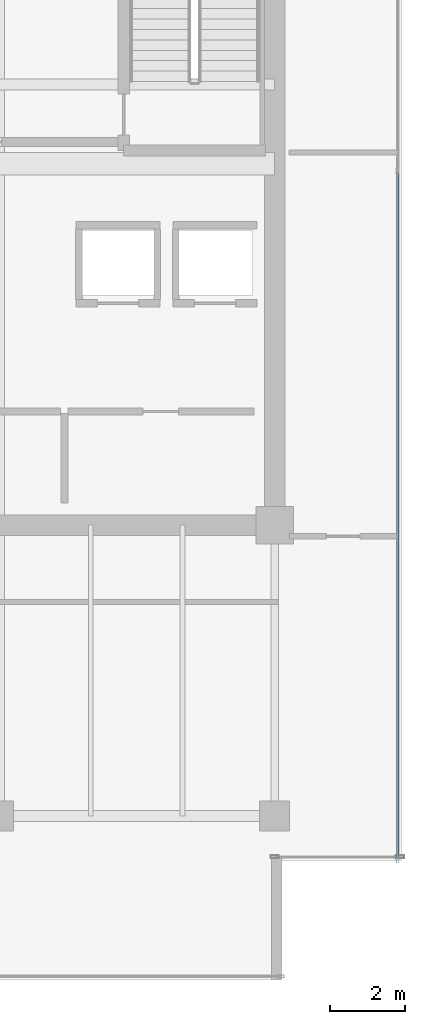
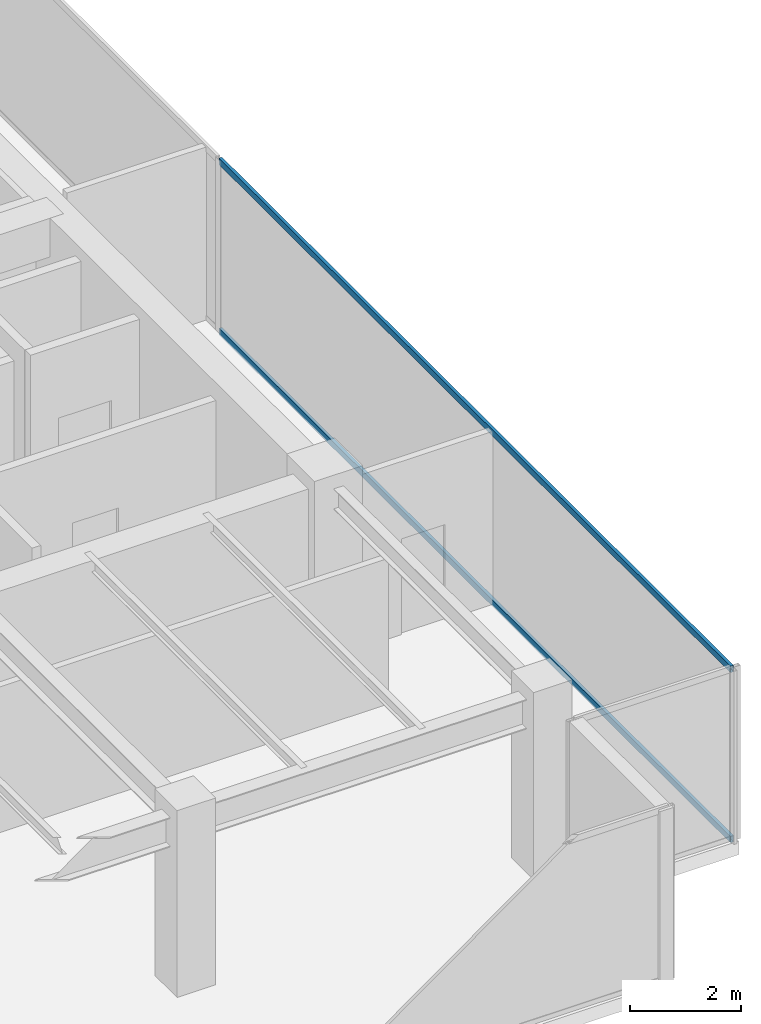
# One storey, part 23 of 33: 2 members, 1 element without a shape of its own.
"""IFC4 building model written with IfcOpenShell, lengths in metres."""

from ifc_helpers import new_model, si_unit, direction, frame, origin, origin_2d, place, context, subcontext, project, spatial, hollow_rectangle, extrude, source, transform, mapped, material, layer, layer_set, material_profile, profile_set, type_object, type_shapes, element, aggregate, save


model = new_model("IFC4")

# Units and contexts
model_context = context("Model", 3, precision=1e-05, world=origin(), true_north=direction((0.0, 1.0)))
body_context = subcontext(model_context, "Body", "Model", "MODEL_VIEW")
ifc_project = project(units=[si_unit("LENGTHUNIT", "METRE"), si_unit("AREAUNIT", "SQUARE_METRE"), si_unit("VOLUMEUNIT", "CUBIC_METRE"), si_unit("PLANEANGLEUNIT", "RADIAN"), si_unit("MASSUNIT", "GRAM", prefix="KILO")], contexts=[model_context])

# Site, building, storey
site_placement = place(None, origin())
site = spatial("IfcSite", under=ifc_project, at=site_placement, CompositionType="ELEMENT")
building_placement = place(site_placement, origin())
building = spatial("IfcBuilding", under=site, at=building_placement, Name="Haelvirn Gate Laboratories", CompositionType="ELEMENT")
storey_placement = place(building_placement, frame((0.0, 0.0, 271.10009765625)))
storey = spatial("IfcBuildingStorey", under=building, at=storey_placement, Name="L65", CompositionType="ELEMENT", Elevation=271.10009765625)

# Curtain wall, members
ifc_material_1 = material(Name="Anodised bronze unitised aluminium & triple low-E glass", Category="aluminium")
ifc_layer = layer(ifc_material_1, 0.176025390625, Name="CW-SYS-4")
ifc_layer_set = layer_set([ifc_layer], Name="Anodised bronze unitised aluminium & triple low-E glass")
curtain_wall_type = type_object("IfcCurtainWallType", Name="CW-SYS-4", PredefinedType="NOTDEFINED", material=ifc_layer_set)
curtain_wall_placement = place(storey_placement, origin())
curtain_wall = element("IfcCurtainWall", 1, at=curtain_wall_placement, inside=storey, type_object=curtain_wall_type, Name="L65 Unitised Curtain Wall CW-L65-P0-E07", PredefinedType="NOTDEFINED")
ifc_material_2 = material(Name="Extruded aluminium 6063-T6 (anodised bronze)", Category="aluminium")
ifc_material_profile = material_profile(ifc_material_2, hollow_rectangle(XDim=0.06494140625, YDim=0.139892578125, WallThickness=0.00390625, at=origin_2d()), Name="CWT-140x65x4")
ifc_profile_set = profile_set([ifc_material_profile], Name="Extruded aluminium 6063-T6 (anodised bronze)")
member_type = type_object("IfcMemberType", Name="CWT-T140", PredefinedType="USERDEFINED", material=ifc_profile_set)
shared_shape = source(origin(), body_context, "Body", "SweptSolid", [
    extrude(hollow_rectangle(XDim=0.06494140625, YDim=0.139892578125, WallThickness=0.00390625, at=origin_2d()), origin(), (0.0, 0.0, 1.0), 18.394775390625),
])
type_shapes(member_type, [shared_shape])
member_1_placement = place(storey_placement, frame((70.699951171875, 5.8701171875, 0.032470703125), z_axis=(0.0, 1.0, 0.0), x_axis=(-1.0, 0.0, 0.0)))
member_1 = element("IfcMember", 2, at=member_1_placement, type_object=member_type, Name="CW4 transom 1.1", ObjectType="TRANSOM", PredefinedType="USERDEFINED", context=body_context, shape_type="MappedRepresentation", body=[
    mapped(shared_shape, transform((0.0, 0.0, 0.0), scale=1.0)),
])
member_2_placement = place(storey_placement, frame((70.699951171875, 5.8701171875, 3.767333984375), z_axis=(0.0, 1.0, 0.0), x_axis=(-1.0, 0.0, 0.0)))
member_2 = element("IfcMember", 3, at=member_2_placement, type_object=member_type, Name="CW4 transom 1.2", ObjectType="TRANSOM", PredefinedType="USERDEFINED", context=body_context, shape_type="MappedRepresentation", body=[
    mapped(shared_shape, transform((0.0, 0.0, 0.0), scale=1.0)),
])
aggregate(curtain_wall, [member_1, member_2])

save(model, "model.ifc")
